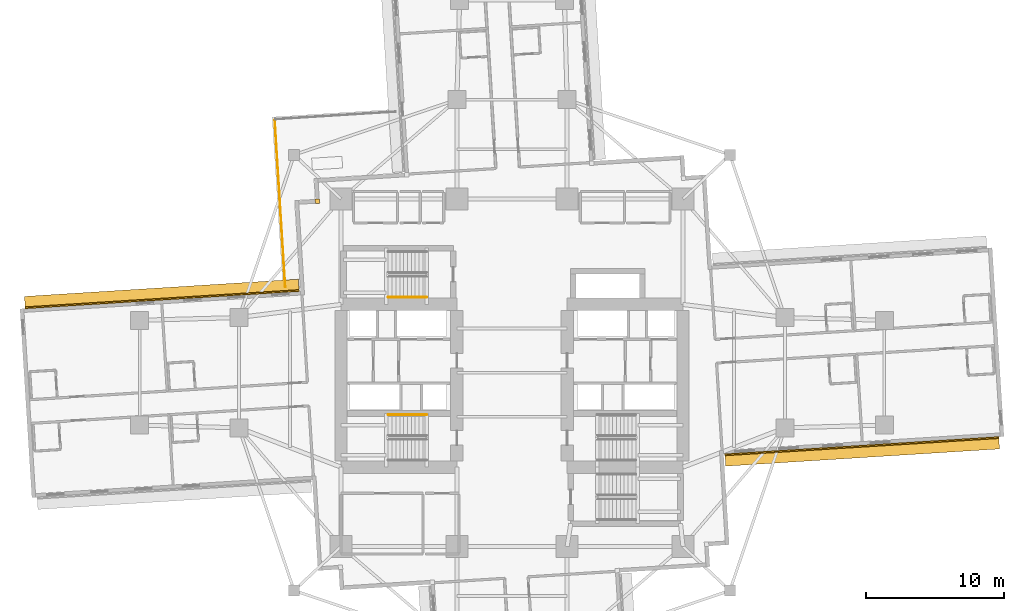
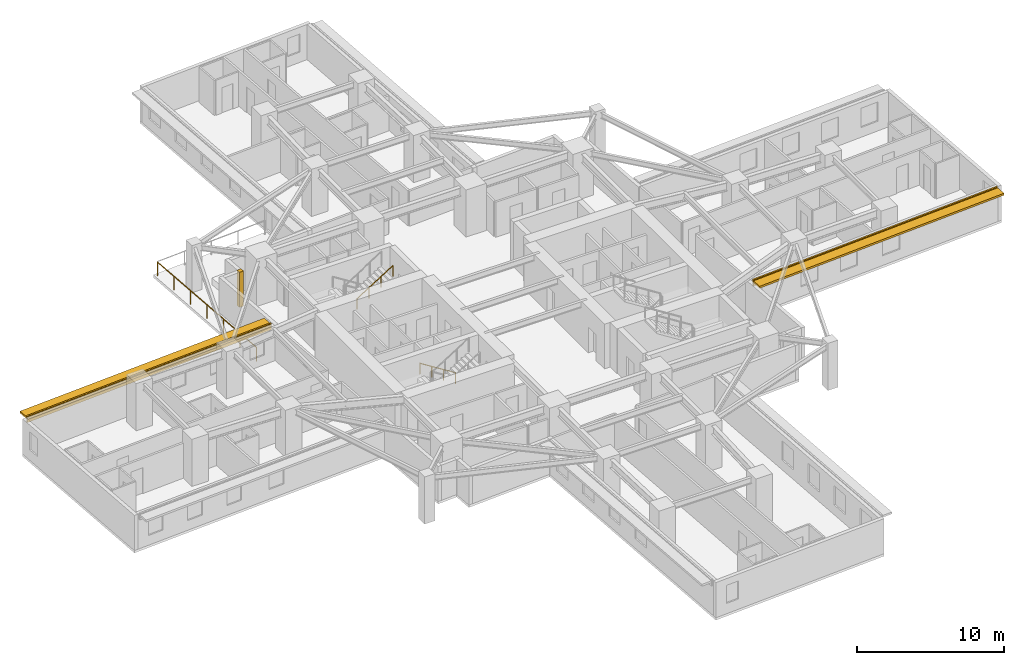
# One storey, part 12 of 14: 3 coverings, 3 railings, 2 shading devices.
"""IFC4 building model written with IfcOpenShell, lengths in metres."""

from ifc_helpers import new_model, si_unit, direction, frame, origin, origin_2d, place, context, subcontext, project, spatial, rectangle, circle, extrude, material, layer, layer_set, type_object, element, save


model = new_model("IFC4")

# Units and contexts
model_context = context("Model", 3, precision=1e-05, world=origin(), true_north=direction((0.0, 1.0)))
body_context = subcontext(model_context, "Body", "Model", "MODEL_VIEW")
ifc_project = project(units=[si_unit("LENGTHUNIT", "METRE"), si_unit("AREAUNIT", "SQUARE_METRE"), si_unit("VOLUMEUNIT", "CUBIC_METRE"), si_unit("PLANEANGLEUNIT", "RADIAN"), si_unit("MASSUNIT", "GRAM", prefix="KILO")], contexts=[model_context])

# Site, building, storey
site_placement = place(None, origin())
site = spatial("IfcSite", under=ifc_project, at=site_placement, CompositionType="ELEMENT")
building_placement = place(site_placement, origin())
building = spatial("IfcBuilding", under=site, at=building_placement, Name="Qingluan Cross Belvedere", CompositionType="ELEMENT")
storey_placement = place(building_placement, frame((0.0, 0.0, 39.300048828125)))
storey = spatial("IfcBuildingStorey", under=building, at=storey_placement, Name="L10", CompositionType="ELEMENT", Elevation=39.300048828125)

# Coverings
ifc_material_1 = material(Name="Precast concrete C45", Category="concrete")
ifc_layer_1 = layer(ifc_material_1, 0.1201171875, Name="ConcreteSpandrelCladding_120")
ifc_layer_set_1 = layer_set([ifc_layer_1], Name="Precast concrete C45")
covering_type = type_object("IfcCoveringType", Name="ConcreteSpandrelCladding_120", PredefinedType="CLADDING", material=ifc_layer_set_1)
for number, where, z_axis, x_axis, name in (
    (1, (25.37451171875, -5.3271484375, 2.449951171875), (0.0, 0.0, 1.0), (0.998026999973, 0.062786203294, 0.0), "Spandrel cladding L10-EA"),
    (2, (-25.37451171875, 5.3271484375, 2.449951171875), (0.0, 0.0, 1.0), (-0.998026999973, -0.062786203294, 0.0), "Spandrel cladding L10-WA"),
):
    element("IfcCovering", number, at=place(storey_placement, frame(where, z_axis=z_axis, x_axis=x_axis)), inside=storey, type_object=covering_type, Name=name, PredefinedType="CLADDING", context=body_context, shape_type="SweptSolid", body=[
        extrude(rectangle(XDim=19.89990234375, YDim=0.1201171875, at=origin_2d()), origin(), (0.0, 0.0, 1.0), 0.52001953125),
    ])
covering_placement = place(storey_placement, frame((-14.10888671875, 12.438720703125, 0.0), z_axis=(0.0, 0.0, 1.0), x_axis=(0.998026728428, 0.062790519529, 0.0)))
element("IfcCovering", 3, at=covering_placement, inside=storey, type_object=covering_type, Name="Corner closure L10-NW1", PredefinedType="CLADDING", context=body_context, shape_type="SweptSolid", body=[
    extrude(rectangle(XDim=0.320068359375, YDim=0.320068359375, at=origin_2d()), origin(), (0.0, 0.0, 1.0), 2.909912109375),
])

# Shading devices
ifc_material_2 = material(Name="Precast concrete C45", Category="concrete")
ifc_layer_2 = layer(ifc_material_2, 0.159912109375, Name="ConcreteSunshadeBand_900")
ifc_layer_set_2 = layer_set([ifc_layer_2], Name="Precast concrete C45")
shading_device_type = type_object("IfcShadingDeviceType", Name="ConcreteSunshadeBand_900", PredefinedType="USERDEFINED", material=ifc_layer_set_2)
for number, where, z_axis, x_axis, name in (
    (4, (25.3984375, -5.70654296875, 2.72998046875), (0.0, 0.0, 1.0), (0.998026999973, 0.062786203294, 0.0), "Concrete SUNSHADE L10-EA"),
    (5, (-25.3984375, 5.70654296875, 2.72998046875), (0.0, 0.0, 1.0), (-0.998026999973, -0.062786203294, 0.0), "Concrete SUNSHADE L10-WA"),
):
    element("IfcShadingDevice", number, at=place(storey_placement, frame(where, z_axis=z_axis, x_axis=x_axis)), inside=storey, type_object=shading_device_type, Name=name, ObjectType="SUNSHADE", PredefinedType="USERDEFINED", context=body_context, shape_type="SweptSolid", body=[
        extrude(rectangle(XDim=19.89990234375, YDim=0.89990234375, at=origin_2d()), origin(), (0.0, 0.0, 1.0), 0.159912109375),
    ])

# Railings
ifc_material_3 = material(Name="Brushed stainless steel tubular handrail", Category="steel")
railing_type_1 = type_object("IfcRailingType", Name="StairPitchHandrail_900", PredefinedType="HANDRAIL", material=ifc_material_3)
railing_1_placement = place(storey_placement, frame((-6.179931640625, -3.050048828125, 0.17724609375)))
element("IfcRailing", 6, at=railing_1_placement, inside=storey, type_object=railing_type_1, Name="L10 ST1 stair handrail 1", PredefinedType="HANDRAIL", context=body_context, shape_type="SweptSolid", body=[
    extrude(circle(Radius=0.02392578125, at=origin_2d()), frame((0.0, 0.0, 0.8759765625), z_axis=(-0.844908973607, 0.0, 0.534910110503), x_axis=(0.0, -1.0, 0.0)), (0.0, 0.0, 1.0), 3.31396484375),
    extrude(circle(Radius=0.02099609375, at=origin_2d()), origin(), (0.0, 0.0, 1.0), 0.851806640625),
    extrude(circle(Radius=0.02099609375, at=origin_2d()), frame((-0.933349609375, 0.0, 0.5908203125)), (0.0, 0.0, 1.0), 0.851806640625),
    extrude(circle(Radius=0.02099609375, at=origin_2d()), frame((-1.86669921875, 0.0, 1.181884765625)), (0.0, 0.0, 1.0), 0.851806640625),
    extrude(circle(Radius=0.02099609375, at=origin_2d()), frame((-2.800048828125, 0.0, 1.772705078125)), (0.0, 0.0, 1.0), 0.851806640625),
])
railing_2_placement = place(storey_placement, frame((-8.97998046875, 5.469970703125, 2.127197265625)))
element("IfcRailing", 7, at=railing_2_placement, inside=storey, type_object=railing_type_1, Name="L10 ST3 stair handrail 2", PredefinedType="HANDRAIL", context=body_context, shape_type="SweptSolid", body=[
    extrude(circle(Radius=0.02392578125, at=origin_2d()), frame((0.0, 0.0, 0.8759765625), z_axis=(0.844908973607, 0.0, 0.534910110503), x_axis=(0.0, 1.0, 0.0)), (0.0, 0.0, 1.0), 3.31396484375),
    extrude(circle(Radius=0.02099609375, at=origin_2d()), origin(), (0.0, 0.0, 1.0), 0.851806640625),
    extrude(circle(Radius=0.02099609375, at=origin_2d()), frame((0.933349609375, 0.0, 0.5908203125)), (0.0, 0.0, 1.0), 0.851806640625),
    extrude(circle(Radius=0.02099609375, at=origin_2d()), frame((1.86669921875, 0.0, 1.181884765625)), (0.0, 0.0, 1.0), 0.851806640625),
    extrude(circle(Radius=0.02099609375, at=origin_2d()), frame((2.800048828125, 0.0, 1.772705078125)), (0.0, 0.0, 1.0), 0.851806640625),
])
ifc_material_4 = material(Name="Laminated glass and stainless steel balustrade", Category="steel")
railing_type_2 = type_object("IfcRailingType", Name="TerraceGuardBalustrade_1150", PredefinedType="BALUSTRADE", material=ifc_material_4)
railing_3_placement = place(storey_placement, frame((-16.443115234375, 6.2197265625, 0.0)))
element("IfcRailing", 8, at=railing_3_placement, inside=storey, type_object=railing_type_2, Name="Terrace guard L10-1", PredefinedType="BALUSTRADE", context=body_context, shape_type="SweptSolid", body=[
    extrude(circle(Radius=0.02392578125, at=origin_2d()), frame((0.0, 0.0, 1.1259765625), z_axis=(-0.062787106563, 0.998026943148, 0.0), x_axis=(-0.998026943148, -0.062787106563, 0.0)), (0.0, 0.0, 1.0), 12.1201171875),
    extrude(circle(Radius=0.02099609375, at=origin_2d()), origin(), (0.0, 0.0, 1.0), 1.101806640625),
    extrude(circle(Radius=0.02099609375, at=origin_2d()), frame((-0.126953125, 2.01611328125, 0.0)), (0.0, 0.0, 1.0), 1.101806640625),
    extrude(circle(Radius=0.02099609375, at=origin_2d()), frame((-0.253662109375, 4.031982421875, 0.0)), (0.0, 0.0, 1.0), 1.101806640625),
    extrude(circle(Radius=0.02099609375, at=origin_2d()), frame((-0.38037109375, 6.048095703125, 0.0)), (0.0, 0.0, 1.0), 1.101806640625),
    extrude(circle(Radius=0.02099609375, at=origin_2d()), frame((-0.50732421875, 8.064208984375, 0.0)), (0.0, 0.0, 1.0), 1.101806640625),
    extrude(circle(Radius=0.02099609375, at=origin_2d()), frame((-0.63427734375, 10.080078125, 0.0)), (0.0, 0.0, 1.0), 1.101806640625),
    extrude(circle(Radius=0.02099609375, at=origin_2d()), frame((-0.760986328125, 12.09619140625, 0.0)), (0.0, 0.0, 1.0), 1.101806640625),
])

save(model, "model.ifc")
